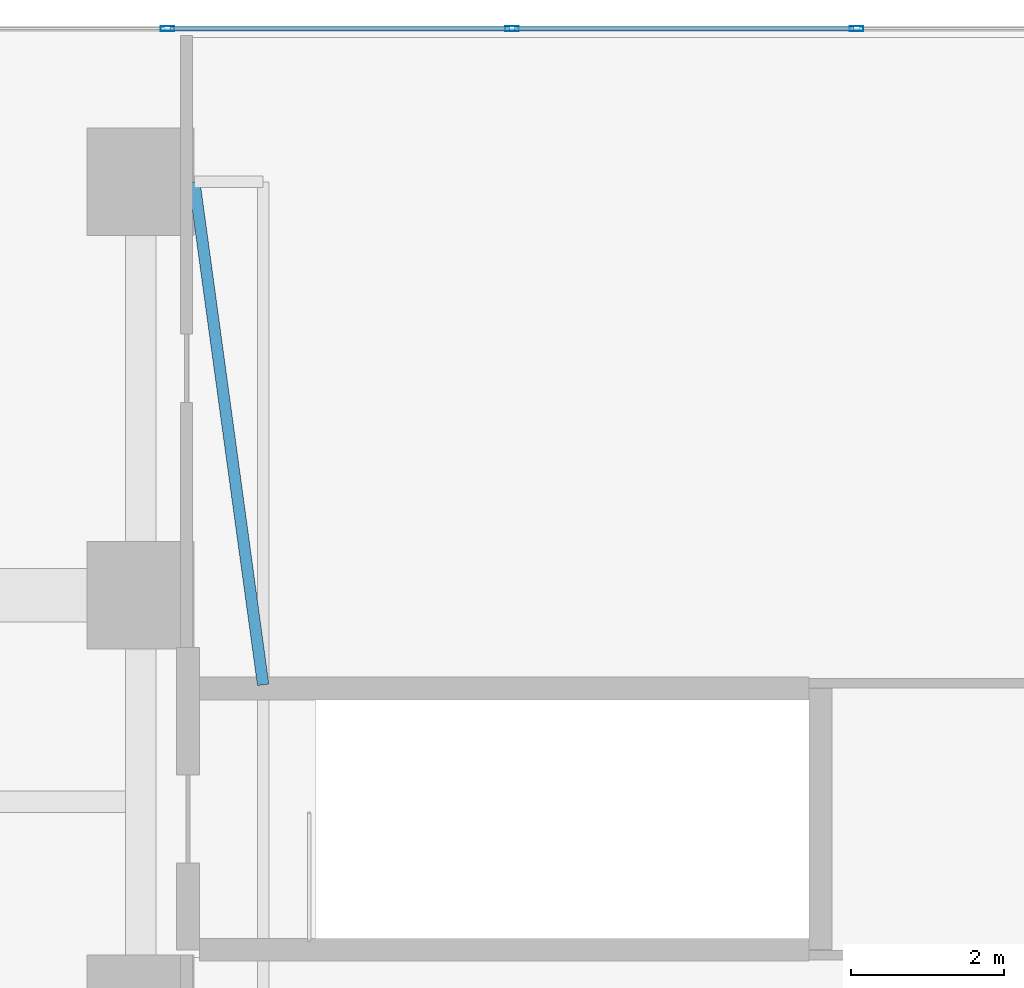
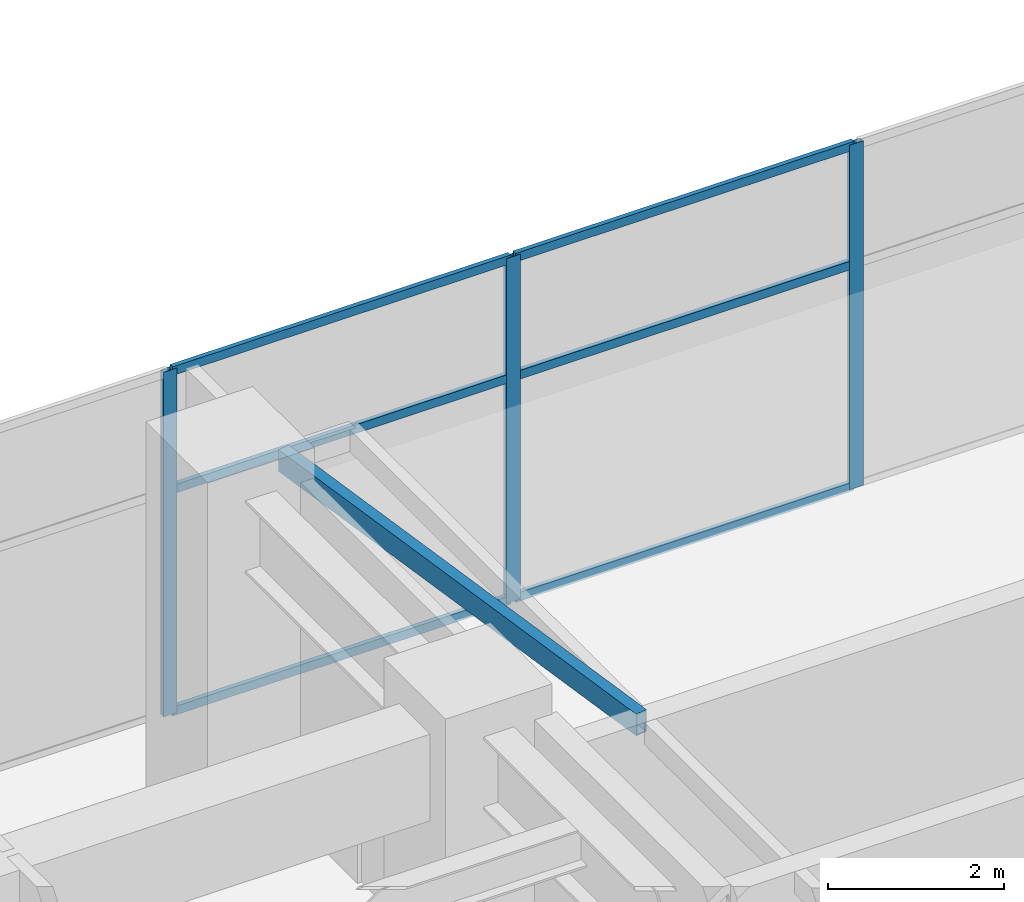
# One storey, part 14 of 29: 9 members, 1 beam, 1 element without a shape of its own.
"""IFC4 building model written with IfcOpenShell, lengths in metres."""

from ifc_helpers import new_model, si_unit, direction, frame, origin, origin_2d, place, context, subcontext, project, spatial, hollow_rectangle, extrude, material, layer, layer_set, material_profile, profile_set, type_object, element, aggregate, save


model = new_model("IFC4")

# Units and contexts
model_context = context("Model", 3, precision=1e-05, world=origin(), true_north=direction((0.0, 1.0)))
body_context = subcontext(model_context, "Body", "Model", "MODEL_VIEW")
ifc_project = project(units=[si_unit("LENGTHUNIT", "METRE"), si_unit("AREAUNIT", "SQUARE_METRE"), si_unit("VOLUMEUNIT", "CUBIC_METRE"), si_unit("PLANEANGLEUNIT", "RADIAN"), si_unit("MASSUNIT", "GRAM", prefix="KILO")], contexts=[model_context])

# Site, building, storey
site_placement = place(None, origin())
site = spatial("IfcSite", under=ifc_project, at=site_placement, CompositionType="ELEMENT")
building_placement = place(site_placement, origin())
building = spatial("IfcBuilding", under=site, at=building_placement, Name="Mawjaban Terraces University", CompositionType="ELEMENT")
storey_placement = place(building_placement, frame((0.0, 0.0, 20.800048828125)))
storey = spatial("IfcBuildingStorey", under=building, at=storey_placement, Name="L04", CompositionType="ELEMENT", Elevation=20.800048828125)

# Beam
ifc_material_1 = material(Name="Steel EN 10210-1 S355J2H", Category="steel")
ifc_material_profile_1 = material_profile(ifc_material_1, hollow_rectangle(XDim=0.14990234375, YDim=0.300048828125, WallThickness=0.012451171875, at=origin_2d()), Name="RHS300X150X12.5")
ifc_profile_set_1 = profile_set([ifc_material_profile_1], Name="Steel EN 10210-1 S355J2H")
beam_type = type_object("IfcBeamType", Name="BalconyCantileverSpandrel_RHS", PredefinedType="SPANDREL", material=ifc_profile_set_1)
beam_placement = place(storey_placement, frame((38.35009765625, 52.0, 4.6298828125), z_axis=(0.135702980112, -0.990749565324, 0.0), x_axis=(0.990749565324, 0.135702980112, 0.0)))
element("IfcBeam", 1, at=beam_placement, inside=storey, type_object=beam_type, Name="L04 Exterior Diagonal Strut BAL-L05-E.2", PredefinedType="SPANDREL", context=body_context, shape_type="SweptSolid", body=[
    extrude(hollow_rectangle(XDim=0.14990234375, YDim=0.300048828125, WallThickness=0.012451171875, at=origin_2d()), origin(), (0.0, 0.0, 1.0), 6.63134765625),
])

# Curtain wall, members
ifc_material_2 = material(Name="Anodised aluminium 6063-T6 and solar-control low-E glass", Category="aluminium")
ifc_layer = layer(ifc_material_2, 0.175048828125)
ifc_layer_set = layer_set([ifc_layer], Name="Anodised aluminium 6063-T6 and solar-control low-E glass")
curtain_wall_type = type_object("IfcCurtainWallType", Name="CWSystem_02_PodiumLibrary", PredefinedType="NOTDEFINED", material=ifc_layer_set)
curtain_wall_placement = place(storey_placement, origin())
curtain_wall = element("IfcCurtainWall", 2, at=curtain_wall_placement, inside=storey, type_object=curtain_wall_type, Name="L04 Curtain Wall CW-02 Run 8.1", PredefinedType="NOTDEFINED")
ifc_material_3 = material(Name="Anodised aluminium 6063-T6", Category="aluminium")
ifc_material_profile_2 = material_profile(ifc_material_3, hollow_rectangle(XDim=0.06494140625, YDim=0.179931640625, WallThickness=0.00390625, at=origin_2d()), Name="ALU180X65X4")
ifc_profile_set_2 = profile_set([ifc_material_profile_2], Name="Anodised aluminium 6063-T6")
member_type_1 = type_object("IfcMemberType", Name="Mullion_CW-02", PredefinedType="MULLION", material=ifc_profile_set_2)
member_1_placement = place(storey_placement, frame((47.0, 54.0, 0.0), z_axis=(0.0, 0.0, 1.0), x_axis=(0.0, -1.0, 0.0)))
member_1 = element("IfcMember", 3, at=member_1_placement, type_object=member_type_1, Name="CW-02 mullion 2", PredefinedType="MULLION", context=body_context, shape_type="SweptSolid", body=[
    extrude(hollow_rectangle(XDim=0.06494140625, YDim=0.179931640625, WallThickness=0.00390625, at=origin_2d()), origin(), (0.0, 0.0, 1.0), 4.780029296875),
])
member_2_placement = place(storey_placement, frame((42.5, 54.0, 0.0), z_axis=(0.0, 0.0, 1.0), x_axis=(0.0, -1.0, 0.0)))
member_2 = element("IfcMember", 4, at=member_2_placement, type_object=member_type_1, Name="CW-02 mullion 3", PredefinedType="MULLION", context=body_context, shape_type="SweptSolid", body=[
    extrude(hollow_rectangle(XDim=0.06494140625, YDim=0.179931640625, WallThickness=0.00390625, at=origin_2d()), origin(), (0.0, 0.0, 1.0), 4.780029296875),
])
member_3_placement = place(storey_placement, frame((38.0, 54.0, 0.0), z_axis=(0.0, 0.0, 1.0), x_axis=(0.0, -1.0, 0.0)))
member_3 = element("IfcMember", 5, at=member_3_placement, type_object=member_type_1, Name="CW-02 mullion 4", PredefinedType="MULLION", context=body_context, shape_type="SweptSolid", body=[
    extrude(hollow_rectangle(XDim=0.06494140625, YDim=0.179931640625, WallThickness=0.00390625, at=origin_2d()), origin(), (0.0, 0.0, 1.0), 4.780029296875),
])
ifc_material_profile_3 = material_profile(ifc_material_3, hollow_rectangle(XDim=0.06005859375, YDim=0.1201171875, WallThickness=0.00341796875, at=origin_2d()), Name="ALU120X60X3.5")
ifc_profile_set_3 = profile_set([ifc_material_profile_3], Name="Anodised aluminium 6063-T6")
member_type_2 = type_object("IfcMemberType", Name="Transom_CW-02", PredefinedType="NOTDEFINED", material=ifc_profile_set_3)
member_4_placement = place(storey_placement, frame((46.967529296875, 54.0, 0.030029296875), z_axis=(-1.0, 0.0, 0.0), x_axis=(0.0, -1.0, 0.0)))
member_4 = element("IfcMember", 6, at=member_4_placement, type_object=member_type_2, Name="CW-02 transom 2.1", ObjectType="TRANSOM", PredefinedType="USERDEFINED", context=body_context, shape_type="SweptSolid", body=[
    extrude(hollow_rectangle(XDim=0.06005859375, YDim=0.1201171875, WallThickness=0.00341796875, at=origin_2d()), origin(), (0.0, 0.0, 1.0), 4.43505859375),
])
member_5_placement = place(storey_placement, frame((46.967529296875, 54.0, 3.10693359375), z_axis=(-1.0, 0.0, 0.0), x_axis=(0.0, -1.0, 0.0)))
member_5 = element("IfcMember", 7, at=member_5_placement, type_object=member_type_2, Name="CW-02 transom 2.2", ObjectType="TRANSOM", PredefinedType="USERDEFINED", context=body_context, shape_type="SweptSolid", body=[
    extrude(hollow_rectangle(XDim=0.06005859375, YDim=0.1201171875, WallThickness=0.00341796875, at=origin_2d()), origin(), (0.0, 0.0, 1.0), 4.43505859375),
])
member_6_placement = place(storey_placement, frame((46.967529296875, 54.0, 4.75), z_axis=(-1.0, 0.0, 0.0), x_axis=(0.0, -1.0, 0.0)))
member_6 = element("IfcMember", 8, at=member_6_placement, type_object=member_type_2, Name="CW-02 transom 2.3", ObjectType="TRANSOM", PredefinedType="USERDEFINED", context=body_context, shape_type="SweptSolid", body=[
    extrude(hollow_rectangle(XDim=0.06005859375, YDim=0.1201171875, WallThickness=0.00341796875, at=origin_2d()), origin(), (0.0, 0.0, 1.0), 4.43505859375),
])
member_7_placement = place(storey_placement, frame((42.467529296875, 54.0, 0.030029296875), z_axis=(-1.0, 0.0, 0.0), x_axis=(0.0, -1.0, 0.0)))
member_7 = element("IfcMember", 9, at=member_7_placement, type_object=member_type_2, Name="CW-02 transom 3.1", ObjectType="TRANSOM", PredefinedType="USERDEFINED", context=body_context, shape_type="SweptSolid", body=[
    extrude(hollow_rectangle(XDim=0.06005859375, YDim=0.1201171875, WallThickness=0.00341796875, at=origin_2d()), origin(), (0.0, 0.0, 1.0), 4.43505859375),
])
member_8_placement = place(storey_placement, frame((42.467529296875, 54.0, 3.10693359375), z_axis=(-1.0, 0.0, 0.0), x_axis=(0.0, -1.0, 0.0)))
member_8 = element("IfcMember", 10, at=member_8_placement, type_object=member_type_2, Name="CW-02 transom 3.2", ObjectType="TRANSOM", PredefinedType="USERDEFINED", context=body_context, shape_type="SweptSolid", body=[
    extrude(hollow_rectangle(XDim=0.06005859375, YDim=0.1201171875, WallThickness=0.00341796875, at=origin_2d()), origin(), (0.0, 0.0, 1.0), 4.43505859375),
])
member_9_placement = place(storey_placement, frame((42.467529296875, 54.0, 4.75), z_axis=(-1.0, 0.0, 0.0), x_axis=(0.0, -1.0, 0.0)))
member_9 = element("IfcMember", 11, at=member_9_placement, type_object=member_type_2, Name="CW-02 transom 3.3", ObjectType="TRANSOM", PredefinedType="USERDEFINED", context=body_context, shape_type="SweptSolid", body=[
    extrude(hollow_rectangle(XDim=0.06005859375, YDim=0.1201171875, WallThickness=0.00341796875, at=origin_2d()), origin(), (0.0, 0.0, 1.0), 4.43505859375),
])
aggregate(curtain_wall, [member_1, member_2, member_3, member_4, member_5, member_6, member_7, member_8, member_9])

save(model, "model.ifc")
